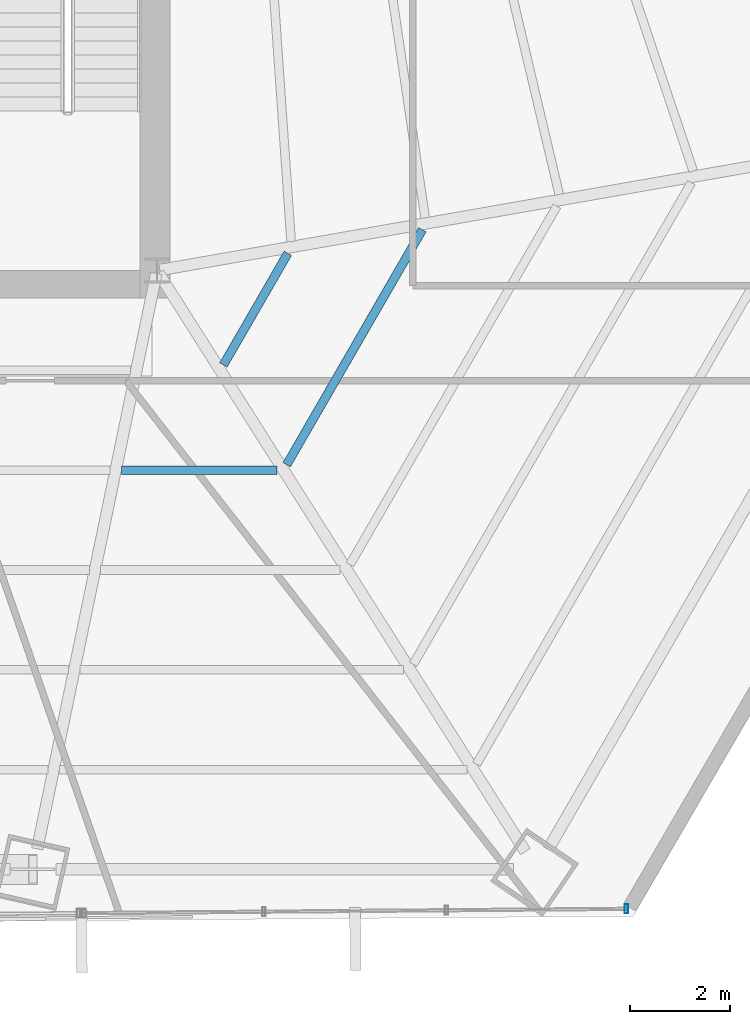
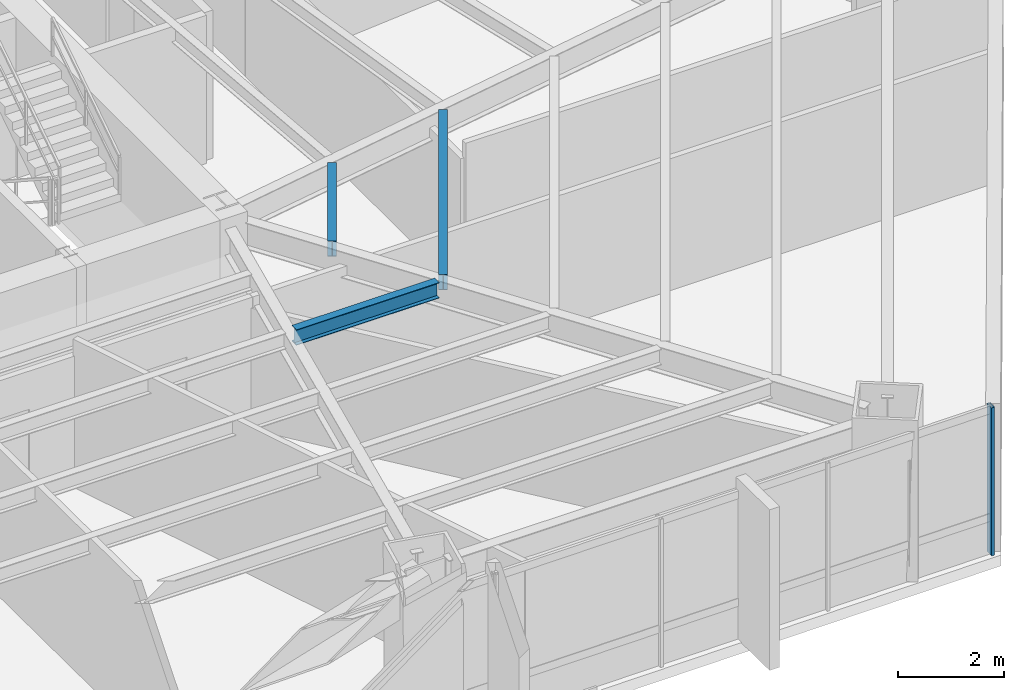
# One storey, part 17 of 34: 3 beams, 1 member, 1 element without a shape of its own.
"""IFC4 building model written with IfcOpenShell, lengths in metres."""

from ifc_helpers import new_model, si_unit, direction, frame, origin, origin_2d, place, context, subcontext, project, spatial, hollow_rectangle, i_section, extrude, source, transform, mapped, material, material_profile, profile_set, type_object, type_shapes, element, aggregate, save


model = new_model("IFC4")

# Units and contexts
model_context = context("Model", 3, precision=1e-05, world=origin(), true_north=direction((0.0, 1.0)))
body_context = subcontext(model_context, "Body", "Model", "MODEL_VIEW")
ifc_project = project(units=[si_unit("LENGTHUNIT", "METRE"), si_unit("AREAUNIT", "SQUARE_METRE"), si_unit("VOLUMEUNIT", "CUBIC_METRE"), si_unit("PLANEANGLEUNIT", "RADIAN"), si_unit("MASSUNIT", "GRAM", prefix="KILO")], contexts=[model_context])

# Site, building, storey
site_placement = place(None, origin())
site = spatial("IfcSite", under=ifc_project, at=site_placement, CompositionType="ELEMENT")
building_placement = place(site_placement, origin())
building = spatial("IfcBuilding", under=site, at=building_placement, Name="Caelisora Broadcast Tower", CompositionType="ELEMENT")
storey_placement = place(building_placement, frame((0.0, 0.0, 56.800048828125)))
storey = spatial("IfcBuildingStorey", under=building, at=storey_placement, Name="L14", CompositionType="ELEMENT", Elevation=56.800048828125)

# Beams
ifc_material_1 = material(Name="Steel Grade 350 (AS/NZS 3679.1)", Category="steel")
ifc_material_profile_1 = material_profile(ifc_material_1, i_section(OverallWidth=0.172119140625, OverallDepth=0.358642578125, WebThickness=0.008056640625, FlangeThickness=0.012939453125, at=origin_2d()), Name="Steel Grade 350 (AS/NZS 3679.1)")
ifc_profile_set_1 = profile_set([ifc_material_profile_1], Name="Steel Grade 350 (AS/NZS 3679.1)")
beam_type = type_object("IfcBeamType", Name="SB02", PredefinedType="JOIST", material=ifc_profile_set_1)
shared_shape_1 = source(origin(), body_context, "Body", "SweptSolid", [
    extrude(i_section(OverallWidth=0.172119140625, OverallDepth=0.358642578125, WebThickness=0.008056640625, FlangeThickness=0.012939453125, at=origin_2d()), origin(), (0.0, 0.0, 1.0), 2.57080078125),
])
beam_1_placement = place(storey_placement, frame((46.8251953125, 15.517333984375, 3.220703125), z_axis=(0.500010177898, 0.866019527493, 0.0), x_axis=(-0.866019527493, 0.500010177898, 0.0)))
element("IfcBeam", 1, at=beam_1_placement, inside=storey, type_object=beam_type, Name="L14 beam SB02", PredefinedType="JOIST", context=body_context, shape_type="MappedRepresentation", body=[
    mapped(shared_shape_1, transform((0.0, 0.0, 0.0), scale=1.0)),
])
shared_shape_2 = source(origin(), body_context, "Body", "SweptSolid", [
    extrude(i_section(OverallWidth=0.172119140625, OverallDepth=0.358642578125, WebThickness=0.008056640625, FlangeThickness=0.012939453125, at=origin_2d()), origin(), (0.0, 0.0, 1.0), 5.412841796875),
])
beam_2_placement = place(storey_placement, frame((48.087890625, 13.52587890625, 3.220703125), z_axis=(0.499976235085, 0.86603912403, 0.0), x_axis=(-0.86603912403, 0.499976235085, 0.0)))
element("IfcBeam", 2, at=beam_2_placement, inside=storey, type_object=beam_type, Name="L14 beam SB02", PredefinedType="JOIST", context=body_context, shape_type="MappedRepresentation", body=[
    mapped(shared_shape_2, transform((0.0, 0.0, 0.0), scale=1.0)),
])
shared_shape_3 = source(origin(), body_context, "Body", "SweptSolid", [
    extrude(i_section(OverallWidth=0.172119140625, OverallDepth=0.358642578125, WebThickness=0.008056640625, FlangeThickness=0.012939453125, at=origin_2d()), origin(), (0.0, 0.0, 1.0), 3.1044921875),
])
type_shapes(beam_type, [shared_shape_1, shared_shape_2, shared_shape_3])
beam_3_placement = place(storey_placement, frame((44.788330078125, 13.4169921875, 3.220703125), z_axis=(1.0, 0.0, 0.0), x_axis=(0.0, 1.0, 0.0)))
element("IfcBeam", 3, at=beam_3_placement, inside=storey, type_object=beam_type, Name="L14 beam SB02", PredefinedType="JOIST", context=body_context, shape_type="MappedRepresentation", body=[
    mapped(shared_shape_3, transform((0.0, 0.0, 0.0), scale=1.0)),
])

# Curtain wall, member
ifc_material_2 = material(Name="Unitised Aluminium and Low-E Glass Curtain Wall", Category="glass")
curtain_wall_type = type_object("IfcCurtainWallType", Name="CW-Z1", PredefinedType="NOTDEFINED", material=ifc_material_2)
curtain_wall_placement = place(storey_placement, origin())
curtain_wall = element("IfcCurtainWall", 4, at=curtain_wall_placement, inside=storey, type_object=curtain_wall_type, Name="L14 curtain wall CW-Z1", PredefinedType="NOTDEFINED")
ifc_material_3 = material(Name="Aluminium 6063-T6 Anodised Terracotta Bronze", Category="aluminium")
ifc_material_profile_2 = material_profile(ifc_material_3, hollow_rectangle(XDim=0.06494140625, YDim=0.179931640625, WallThickness=0.00341796875, at=origin_2d()), Name="Aluminium 6063-T6 Anodised Terracotta Bronze")
ifc_profile_set_2 = profile_set([ifc_material_profile_2], Name="Aluminium 6063-T6 Anodised Terracotta Bronze")
member_type = type_object("IfcMemberType", Name="CWM-02", PredefinedType="MULLION", material=ifc_profile_set_2)
shared_shape_4 = source(origin(), body_context, "Body", "SweptSolid", [
    extrude(hollow_rectangle(XDim=0.06494140625, YDim=0.179931640625, WallThickness=0.00341796875, at=origin_2d()), origin(), (0.0, 0.0, 1.0), 3.39990234375),
])
type_shapes(member_type, [shared_shape_4])
member_placement = place(storey_placement, frame((54.865966796875, 4.66455078125, 0.0), z_axis=(0.0, 0.0, 1.0), x_axis=(1.0, 0.0, 0.0)))
member = element("IfcMember", 5, at=member_placement, type_object=member_type, Name="L14-CW-B05 mullion #0", PredefinedType="MULLION", context=body_context, shape_type="MappedRepresentation", body=[
    mapped(shared_shape_4, transform((0.0, 0.0, 0.0), scale=1.0)),
])
aggregate(curtain_wall, [member])

save(model, "model.ifc")
